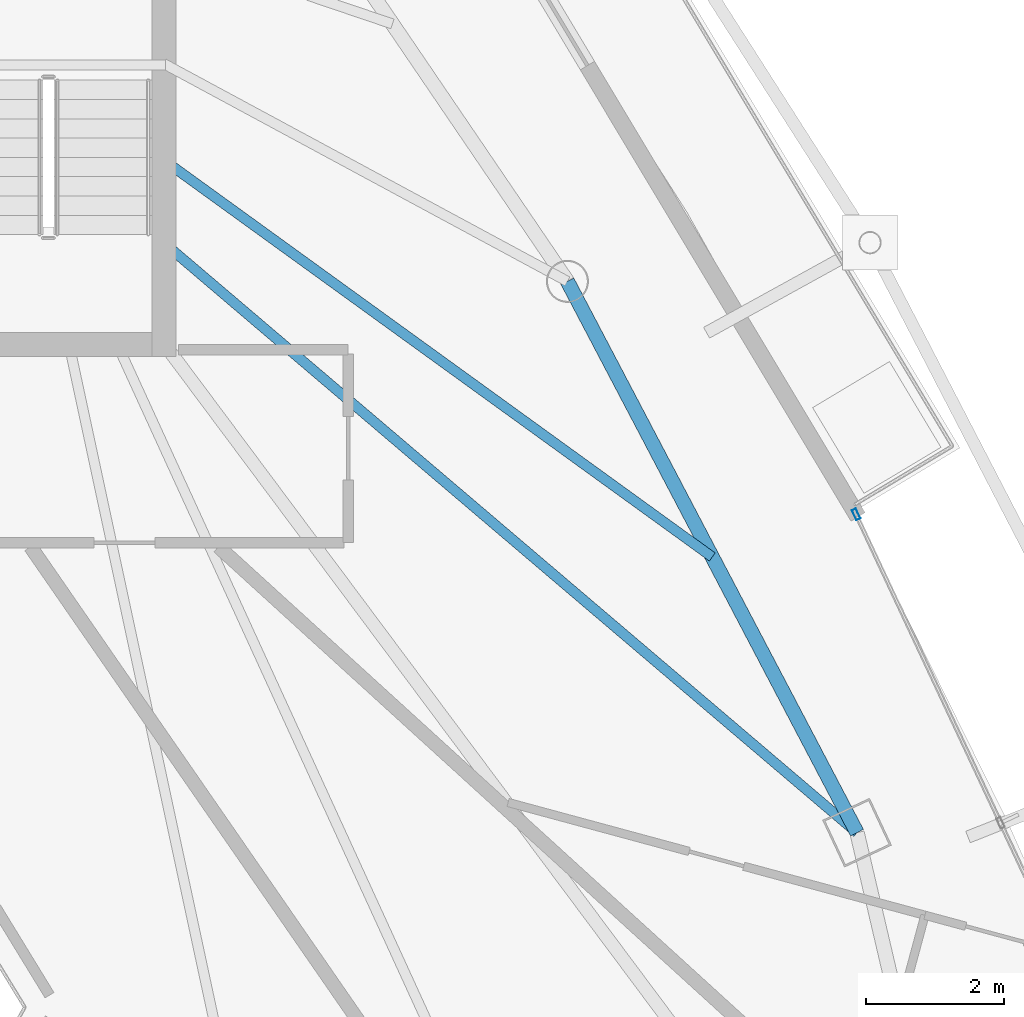
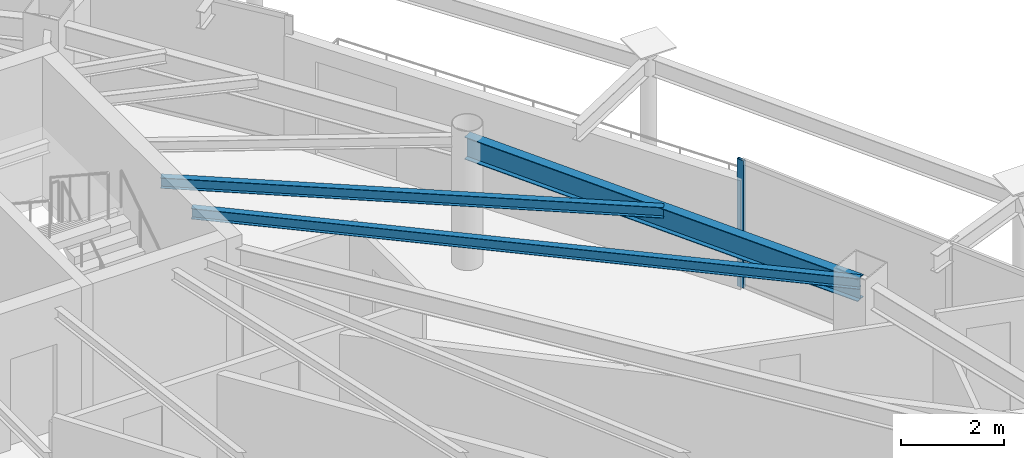
# One storey, part 18 of 30: 3 beams, 1 member, 1 element without a shape of its own.
"""IFC4 building model written with IfcOpenShell, lengths in metres."""

from ifc_helpers import new_model, si_unit, direction, frame, origin, origin_2d, place, context, subcontext, project, spatial, hollow_rectangle, i_section, extrude, material, layer, layer_set, material_profile, profile_set, type_object, element, aggregate, save


model = new_model("IFC4")

# Units and contexts
model_context = context("Model", 3, precision=1e-05, world=origin(), true_north=direction((0.0, 1.0)))
body_context = subcontext(model_context, "Body", "Model", "MODEL_VIEW")
ifc_project = project(units=[si_unit("LENGTHUNIT", "METRE"), si_unit("AREAUNIT", "SQUARE_METRE"), si_unit("VOLUMEUNIT", "CUBIC_METRE"), si_unit("PLANEANGLEUNIT", "RADIAN"), si_unit("MASSUNIT", "GRAM", prefix="KILO")], contexts=[model_context])

# Site, building, storey
site_placement = place(None, origin())
site = spatial("IfcSite", under=ifc_project, at=site_placement, CompositionType="ELEMENT")
building_placement = place(site_placement, origin())
building = spatial("IfcBuilding", under=site, at=building_placement, Name="Orvanel Arch Residences", CompositionType="ELEMENT")
storey_placement = place(building_placement, frame((0.0, 0.0, 232.699951171875)))
storey = spatial("IfcBuildingStorey", under=building, at=storey_placement, Name="L66", CompositionType="ELEMENT", Elevation=232.699951171875)

# Beams
ifc_material_1 = material(Name="Structural steel AS/NZS 3679.1 Grade 300 (300 MPa)", Category="steel")
ifc_material_profile_1 = material_profile(ifc_material_1, i_section(OverallWidth=0.14599609375, OverallDepth=0.251953125, WebThickness=0.006103515625, FlangeThickness=0.008544921875, at=origin_2d()), Name="250UB31.4")
ifc_profile_set_1 = profile_set([ifc_material_profile_1], Name="Structural steel AS/NZS 3679.1 Grade 300 (300 MPa)")
beam_type_1 = type_object("IfcBeamType", Name="BJ-250UB", PredefinedType="JOIST", material=ifc_profile_set_1)
beam_1_placement = place(storey_placement, frame((39.574951171875, 28.199951171875, 2.89404296875), z_axis=(0.761622669031, -0.64802076357, 0.0), x_axis=(0.64802076357, 0.761622669031, 0.0)))
element("IfcBeam", 1, at=beam_1_placement, inside=storey, type_object=beam_type_1, Name="L66 E Wing Floor Joist", PredefinedType="JOIST", context=body_context, shape_type="SweptSolid", body=[
    extrude(i_section(OverallWidth=0.14599609375, OverallDepth=0.251953125, WebThickness=0.006103515625, FlangeThickness=0.008544921875, at=origin_2d()), origin(), (0.0, 0.0, 1.0), 13.2060546875),
])
beam_2_placement = place(storey_placement, frame((39.574951171875, 29.39990234375, 2.89404296875), z_axis=(0.810144032972, -0.586230881002, 0.0), x_axis=(0.586230881002, 0.810144032972, 0.0)))
element("IfcBeam", 2, at=beam_2_placement, inside=storey, type_object=beam_type_1, Name="L66 CTE Wing Floor Joist", PredefinedType="JOIST", context=body_context, shape_type="SweptSolid", body=[
    extrude(i_section(OverallWidth=0.14599609375, OverallDepth=0.251953125, WebThickness=0.006103515625, FlangeThickness=0.008544921875, at=origin_2d()), origin(), (0.0, 0.0, 1.0), 9.82177734375),
])

# Curtain wall, member
ifc_material_2 = material(Name="Bronze-anodised aluminium AA6063-T6", Category="aluminium")
ifc_layer = layer(ifc_material_2, 0.175048828125)
ifc_layer_set = layer_set([ifc_layer], Name="Bronze-anodised aluminium AA6063-T6")
curtain_wall_type = type_object("IfcCurtainWallType", Name="CW4-HI-SYS", PredefinedType="NOTDEFINED", material=ifc_layer_set)
curtain_wall_placement = place(storey_placement, origin())
curtain_wall = element("IfcCurtainWall", 3, at=curtain_wall_placement, inside=storey, type_object=curtain_wall_type, Name="L66 CW4-HI-SYS Unitised Curtain Wall", PredefinedType="NOTDEFINED")
ifc_material_profile_2 = material_profile(ifc_material_2, hollow_rectangle(XDim=0.06494140625, YDim=0.159912109375, WallThickness=0.00390625, at=origin_2d()), Name="ALU160x65x4")
ifc_profile_set_2 = profile_set([ifc_material_profile_2], Name="Bronze-anodised aluminium AA6063-T6")
member_type = type_object("IfcMemberType", Name="MUL-160x65", PredefinedType="MULLION", material=ifc_profile_set_2)
member_placement = place(storey_placement, frame((49.619873046875, 24.260498046875, 0.0), z_axis=(0.0, 0.0, 1.0), x_axis=(-0.905705004304, -0.423908533978, 0.0)))
member = element("IfcMember", 4, at=member_placement, type_object=member_type, Name="CW-S4 mullion 3", PredefinedType="MULLION", context=body_context, shape_type="SweptSolid", body=[
    extrude(hollow_rectangle(XDim=0.06494140625, YDim=0.159912109375, WallThickness=0.00390625, at=origin_2d()), origin(), (0.0, 0.0, 1.0), 3.02001953125),
])
aggregate(curtain_wall, [member])

# Beam
ifc_material_profile_3 = material_profile(ifc_material_1, i_section(OverallWidth=0.208984375, OverallDepth=0.532958984375, WebThickness=0.01025390625, FlangeThickness=0.015625, at=origin_2d()), Name="530UB92.4")
ifc_profile_set_3 = profile_set([ifc_material_profile_3], Name="Structural steel AS/NZS 3679.1 Grade 300 (300 MPa)")
beam_type_2 = type_object("IfcBeamType", Name="SP-530UB", PredefinedType="SPANDREL", material=ifc_profile_set_3)
beam_3_placement = place(storey_placement, frame((49.633056640625, 19.64208984375, 2.7529296875), z_axis=(-0.465064762793, 0.885276660942, 0.0), x_axis=(-0.885276660942, -0.465064762793, 0.0)))
element("IfcBeam", 5, at=beam_3_placement, inside=storey, type_object=beam_type_2, Name="L66 Perimeter Spandrel Beam 07", PredefinedType="SPANDREL", context=body_context, shape_type="SweptSolid", body=[
    extrude(i_section(OverallWidth=0.208984375, OverallDepth=0.532958984375, WebThickness=0.01025390625, FlangeThickness=0.015625, at=origin_2d()), origin(), (0.0, 0.0, 1.0), 9.03564453125),
])

save(model, "model.ifc")
